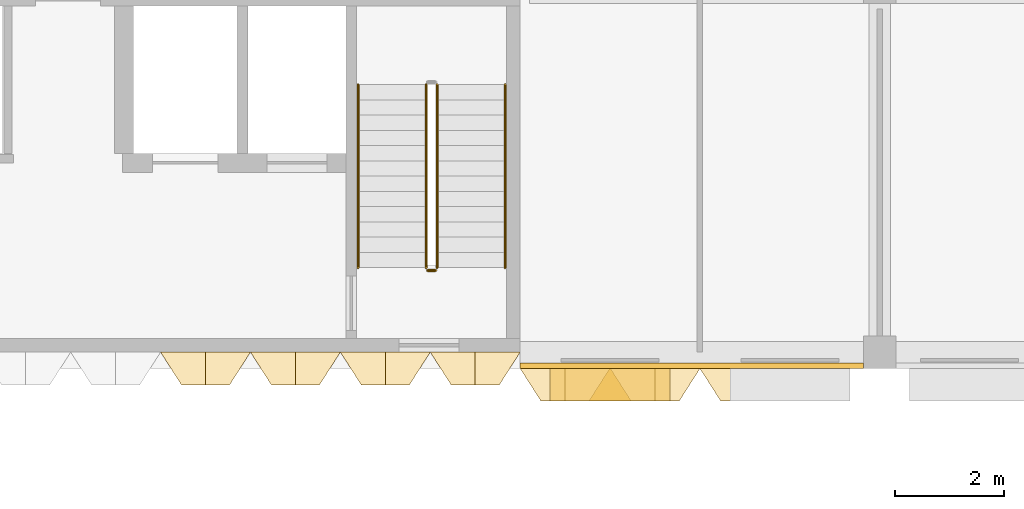
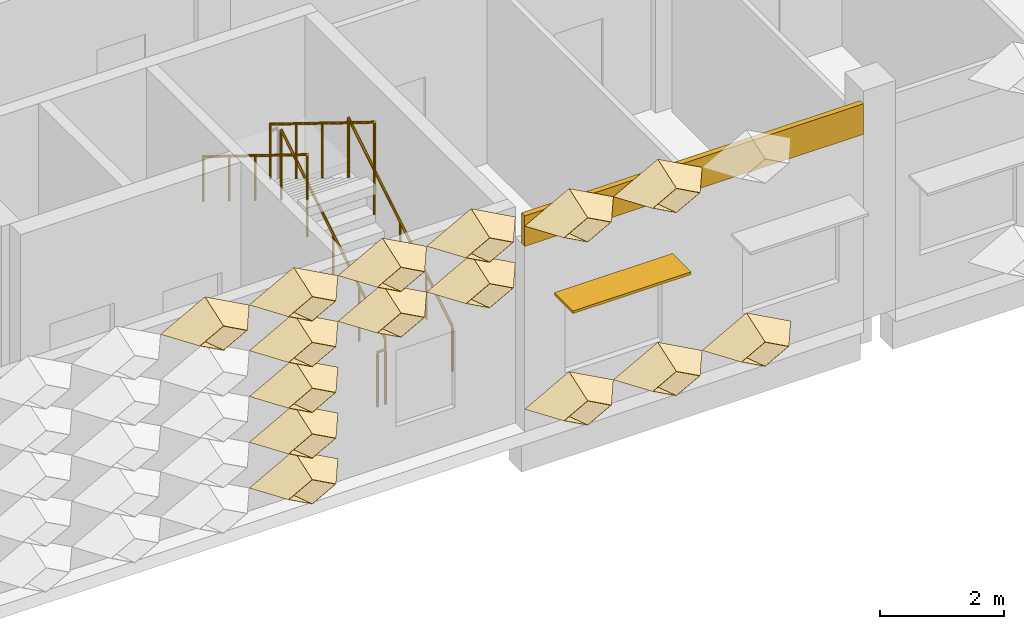
# One storey, part 88 of 109: 16 coverings, 5 railings, 1 shading device.
"""IFC4 building model written with IfcOpenShell, lengths in metres."""

from ifc_helpers import new_model, entity, si_unit, direction, frame, frame_2d, origin, origin_2d, place, context, subcontext, project, spatial, rectangle, circle, extrude, material, layer, layer_set, type_object, element, save


model = new_model("IFC4")

# Units and contexts
model_context = context("Model", 3, precision=1e-05, world=origin(), true_north=direction((0.0, 1.0)))
body_context = subcontext(model_context, "Body", "Model", "MODEL_VIEW")
ifc_project = project(units=[si_unit("LENGTHUNIT", "METRE"), si_unit("AREAUNIT", "SQUARE_METRE"), si_unit("VOLUMEUNIT", "CUBIC_METRE"), si_unit("PLANEANGLEUNIT", "RADIAN"), si_unit("MASSUNIT", "GRAM", prefix="KILO")], contexts=[model_context])

# Site, building, storey
site_placement = place(None, origin())
site = spatial("IfcSite", under=ifc_project, at=site_placement, CompositionType="ELEMENT")
building_placement = place(site_placement, origin())
building = spatial("IfcBuilding", under=site, at=building_placement, Name="Lantern Court Research Institute", CompositionType="ELEMENT")
storey_placement = place(building_placement, frame((0.0, 0.0, 14.39990234375)))
storey = spatial("IfcBuildingStorey", under=building, at=storey_placement, Name="L03", CompositionType="ELEMENT", Elevation=14.39990234375)

# Shading device
ifc_material_1 = material(Name="Aluminium alloy 6063-T6", Category="aluminium")
ifc_layer_1 = layer(ifc_material_1, 0.050048828125)
ifc_layer_set_1 = layer_set([ifc_layer_1], Name="Aluminium alloy 6063-T6")
shading_device_type = type_object("IfcShadingDeviceType", Name="Brise-soleil blade 2200 x 600 x 50 aluminium", PredefinedType="USERDEFINED", material=ifc_layer_set_1)
shading_device_placement = place(storey_placement, frame((54.449951171875, 81.89990234375, 2.5), z_axis=(0.0, 0.0, 1.0), x_axis=(-1.0, 0.0, 0.0)))
element("IfcShadingDevice", 1, at=shading_device_placement, inside=storey, type_object=shading_device_type, Name="Brise-soleil blade L03 S", ObjectType="LOUVRE", PredefinedType="USERDEFINED", context=body_context, shape_type="SweptSolid", body=[
    extrude(rectangle(XDim=2.199951171875, YDim=0.60009765625, at=origin_2d()), origin(), (0.0, 0.0, 1.0), 0.050048828125),
])

# Coverings
ifc_material_2 = material(Name="Aluminium composite panel with mineral wool insulation", Category="aluminium")
ifc_layer_2 = layer(ifc_material_2, 0.10009765625)
ifc_layer_set_2 = layer_set([ifc_layer_2], Name="Aluminium composite panel with mineral wool insulation")
covering_type_1 = type_object("IfcCoveringType", Name="Edge fascia panel 100 aluminium faced", PredefinedType="CLADDING", material=ifc_layer_set_2)
covering_1_placement = place(storey_placement, frame((59.10009765625, 82.25, 3.650146484375), z_axis=(0.0, 0.0, 1.0), x_axis=(-1.0, 0.0, 0.0)))
element("IfcCovering", 2, at=covering_1_placement, inside=storey, type_object=covering_type_1, Name="Edge fascia V6S L03 07", PredefinedType="CLADDING", context=body_context, shape_type="SweptSolid", body=[
    extrude(rectangle(XDim=6.300048828125, YDim=0.10009765625, at=frame_2d((3.14990234375, 0.0))), origin(), (0.0, 0.0, 1.0), 0.599853515625),
])
ifc_material_3 = material(Name="Anodised aluminium", Category="aluminium")
ifc_layer_3 = layer(ifc_material_3, 0.01611328125)
ifc_layer_set_3 = layer_set([ifc_layer_3], Name="Anodised aluminium")
covering_type_2 = type_object("IfcCoveringType", Name="Fin cassette 1650 x 900 x 600 aluminium", PredefinedType="CLADDING", material=ifc_layer_set_3)
covering_2_placement = place(storey_placement, frame((48.675048828125, 82.5, 0.4501953125), z_axis=(0.0, -1.0, 0.0), x_axis=(1.0, 0.0, 0.0)))
cartesian_point_1 = entity("IfcCartesianPoint", [0.824951171875, 0.0])
cartesian_point_2 = entity("IfcCartesianPoint", [0.79150390625, 0.0])
cartesian_point_3 = entity("IfcCartesianPoint", [0.44189453125, 0.0])
cartesian_point_4 = entity("IfcCartesianPoint", [0.43359375, 0.0])
element("IfcCovering", 3, at=covering_2_placement, inside=storey, type_object=covering_type_2, Name="Fin cassette V6S-L03 1.30", PredefinedType="CLADDING", context=body_context, shape_type="SweptSolid", body=[
    entity("IfcExtrudedAreaSolidTapered", entity("IfcArbitraryProfileDefWithVoids", "AREA", None, entity("IfcPolyline", [cartesian_point_1, entity("IfcCartesianPoint", [0.0, 0.449951171875]), entity("IfcCartesianPoint", [-0.824951171875, 0.0]), entity("IfcCartesianPoint", [0.0, -0.449951171875]), cartesian_point_1]), [entity("IfcPolyline", [cartesian_point_2, entity("IfcCartesianPoint", [0.0, 0.431884765625]), entity("IfcCartesianPoint", [-0.79150390625, 0.0]), entity("IfcCartesianPoint", [0.0, -0.431884765625]), cartesian_point_2])]), entity("IfcAxis2Placement3D", entity("IfcCartesianPoint", [0.0, 0.0, 0.0])), entity("IfcDirection", [0.0, 0.0, 1.0]), 0.60009765625, entity("IfcArbitraryProfileDefWithVoids", "AREA", None, entity("IfcPolyline", [cartesian_point_3, entity("IfcCartesianPoint", [0.0, 0.240966796875]), entity("IfcCartesianPoint", [-0.44189453125, 0.0]), entity("IfcCartesianPoint", [0.0, -0.240966796875]), cartesian_point_3]), [entity("IfcPolyline", [cartesian_point_4, entity("IfcCartesianPoint", [0.0, 0.236572265625]), entity("IfcCartesianPoint", [-0.43359375, 0.0]), entity("IfcCartesianPoint", [0.0, -0.236572265625]), cartesian_point_4])])),
])
covering_3_placement = place(storey_placement, frame((48.675048828125, 82.5, 1.35009765625), z_axis=(0.0, -1.0, 0.0), x_axis=(1.0, 0.0, 0.0)))
cartesian_point_5 = entity("IfcCartesianPoint", [0.824951171875, 0.0])
cartesian_point_6 = entity("IfcCartesianPoint", [0.79150390625, 0.0])
cartesian_point_7 = entity("IfcCartesianPoint", [0.44189453125, 0.0])
cartesian_point_8 = entity("IfcCartesianPoint", [0.43359375, 0.0])
element("IfcCovering", 4, at=covering_3_placement, inside=storey, type_object=covering_type_2, Name="Fin cassette V6S-L03 2.30", PredefinedType="CLADDING", context=body_context, shape_type="SweptSolid", body=[
    entity("IfcExtrudedAreaSolidTapered", entity("IfcArbitraryProfileDefWithVoids", "AREA", None, entity("IfcPolyline", [cartesian_point_5, entity("IfcCartesianPoint", [0.0, 0.449951171875]), entity("IfcCartesianPoint", [-0.824951171875, 0.0]), entity("IfcCartesianPoint", [0.0, -0.449951171875]), cartesian_point_5]), [entity("IfcPolyline", [cartesian_point_6, entity("IfcCartesianPoint", [0.0, 0.431884765625]), entity("IfcCartesianPoint", [-0.79150390625, 0.0]), entity("IfcCartesianPoint", [0.0, -0.431884765625]), cartesian_point_6])]), entity("IfcAxis2Placement3D", entity("IfcCartesianPoint", [0.0, 0.0, 0.0])), entity("IfcDirection", [0.0, 0.0, 1.0]), 0.60009765625, entity("IfcArbitraryProfileDefWithVoids", "AREA", None, entity("IfcPolyline", [cartesian_point_7, entity("IfcCartesianPoint", [0.0, 0.240966796875]), entity("IfcCartesianPoint", [-0.44189453125, 0.0]), entity("IfcCartesianPoint", [0.0, -0.240966796875]), cartesian_point_7]), [entity("IfcPolyline", [cartesian_point_8, entity("IfcCartesianPoint", [0.0, 0.236572265625]), entity("IfcCartesianPoint", [-0.43359375, 0.0]), entity("IfcCartesianPoint", [0.0, -0.236572265625]), cartesian_point_8])])),
])
covering_4_placement = place(storey_placement, frame((48.675048828125, 82.5, 2.25), z_axis=(0.0, -1.0, 0.0), x_axis=(1.0, 0.0, 0.0)))
cartesian_point_9 = entity("IfcCartesianPoint", [0.824951171875, 0.0])
cartesian_point_10 = entity("IfcCartesianPoint", [0.79150390625, 0.0])
cartesian_point_11 = entity("IfcCartesianPoint", [0.44189453125, 0.0])
cartesian_point_12 = entity("IfcCartesianPoint", [0.43359375, 0.0])
element("IfcCovering", 5, at=covering_4_placement, inside=storey, type_object=covering_type_2, Name="Fin cassette V6S-L03 3.30", PredefinedType="CLADDING", context=body_context, shape_type="SweptSolid", body=[
    entity("IfcExtrudedAreaSolidTapered", entity("IfcArbitraryProfileDefWithVoids", "AREA", None, entity("IfcPolyline", [cartesian_point_9, entity("IfcCartesianPoint", [0.0, 0.449951171875]), entity("IfcCartesianPoint", [-0.824951171875, 0.0]), entity("IfcCartesianPoint", [0.0, -0.449951171875]), cartesian_point_9]), [entity("IfcPolyline", [cartesian_point_10, entity("IfcCartesianPoint", [0.0, 0.431884765625]), entity("IfcCartesianPoint", [-0.79150390625, 0.0]), entity("IfcCartesianPoint", [0.0, -0.431884765625]), cartesian_point_10])]), entity("IfcAxis2Placement3D", entity("IfcCartesianPoint", [0.0, 0.0, 0.0])), entity("IfcDirection", [0.0, 0.0, 1.0]), 0.60009765625, entity("IfcArbitraryProfileDefWithVoids", "AREA", None, entity("IfcPolyline", [cartesian_point_11, entity("IfcCartesianPoint", [0.0, 0.240966796875]), entity("IfcCartesianPoint", [-0.44189453125, 0.0]), entity("IfcCartesianPoint", [0.0, -0.240966796875]), cartesian_point_11]), [entity("IfcPolyline", [cartesian_point_12, entity("IfcCartesianPoint", [0.0, 0.236572265625]), entity("IfcCartesianPoint", [-0.43359375, 0.0]), entity("IfcCartesianPoint", [0.0, -0.236572265625]), cartesian_point_12])])),
])
covering_5_placement = place(storey_placement, frame((48.675048828125, 82.5, 3.150146484375), z_axis=(0.0, -1.0, 0.0), x_axis=(1.0, 0.0, 0.0)))
cartesian_point_13 = entity("IfcCartesianPoint", [0.824951171875, 0.0])
cartesian_point_14 = entity("IfcCartesianPoint", [0.79150390625, 0.0])
cartesian_point_15 = entity("IfcCartesianPoint", [0.44189453125, 0.0])
cartesian_point_16 = entity("IfcCartesianPoint", [0.43359375, 0.0])
element("IfcCovering", 6, at=covering_5_placement, inside=storey, type_object=covering_type_2, Name="Fin cassette V6S-L03 4.30", PredefinedType="CLADDING", context=body_context, shape_type="SweptSolid", body=[
    entity("IfcExtrudedAreaSolidTapered", entity("IfcArbitraryProfileDefWithVoids", "AREA", None, entity("IfcPolyline", [cartesian_point_13, entity("IfcCartesianPoint", [0.0, 0.449951171875]), entity("IfcCartesianPoint", [-0.824951171875, 0.0]), entity("IfcCartesianPoint", [0.0, -0.449951171875]), cartesian_point_13]), [entity("IfcPolyline", [cartesian_point_14, entity("IfcCartesianPoint", [0.0, 0.431884765625]), entity("IfcCartesianPoint", [-0.79150390625, 0.0]), entity("IfcCartesianPoint", [0.0, -0.431884765625]), cartesian_point_14])]), entity("IfcAxis2Placement3D", entity("IfcCartesianPoint", [0.0, 0.0, 0.0])), entity("IfcDirection", [0.0, 0.0, 1.0]), 0.60009765625, entity("IfcArbitraryProfileDefWithVoids", "AREA", None, entity("IfcPolyline", [cartesian_point_15, entity("IfcCartesianPoint", [0.0, 0.240966796875]), entity("IfcCartesianPoint", [-0.44189453125, 0.0]), entity("IfcCartesianPoint", [0.0, -0.240966796875]), cartesian_point_15]), [entity("IfcPolyline", [cartesian_point_16, entity("IfcCartesianPoint", [0.0, 0.236572265625]), entity("IfcCartesianPoint", [-0.43359375, 0.0]), entity("IfcCartesianPoint", [0.0, -0.236572265625]), cartesian_point_16])])),
])
covering_6_placement = place(storey_placement, frame((50.324951171875, 82.5, 3.150146484375), z_axis=(0.0, -1.0, 0.0), x_axis=(1.0, 0.0, 0.0)))
cartesian_point_17 = entity("IfcCartesianPoint", [0.824951171875, 0.0])
cartesian_point_18 = entity("IfcCartesianPoint", [0.79150390625, 0.0])
cartesian_point_19 = entity("IfcCartesianPoint", [0.44189453125, 0.0])
cartesian_point_20 = entity("IfcCartesianPoint", [0.43359375, 0.0])
element("IfcCovering", 7, at=covering_6_placement, inside=storey, type_object=covering_type_2, Name="Fin cassette V6S-L03 4.31", PredefinedType="CLADDING", context=body_context, shape_type="SweptSolid", body=[
    entity("IfcExtrudedAreaSolidTapered", entity("IfcArbitraryProfileDefWithVoids", "AREA", None, entity("IfcPolyline", [cartesian_point_17, entity("IfcCartesianPoint", [0.0, 0.449951171875]), entity("IfcCartesianPoint", [-0.824951171875, 0.0]), entity("IfcCartesianPoint", [0.0, -0.449951171875]), cartesian_point_17]), [entity("IfcPolyline", [cartesian_point_18, entity("IfcCartesianPoint", [0.0, 0.431884765625]), entity("IfcCartesianPoint", [-0.79150390625, 0.0]), entity("IfcCartesianPoint", [0.0, -0.431884765625]), cartesian_point_18])]), entity("IfcAxis2Placement3D", entity("IfcCartesianPoint", [0.0, 0.0, 0.0])), entity("IfcDirection", [0.0, 0.0, 1.0]), 0.60009765625, entity("IfcArbitraryProfileDefWithVoids", "AREA", None, entity("IfcPolyline", [cartesian_point_19, entity("IfcCartesianPoint", [0.0, 0.240966796875]), entity("IfcCartesianPoint", [-0.44189453125, 0.0]), entity("IfcCartesianPoint", [0.0, -0.240966796875]), cartesian_point_19]), [entity("IfcPolyline", [cartesian_point_20, entity("IfcCartesianPoint", [0.0, 0.236572265625]), entity("IfcCartesianPoint", [-0.43359375, 0.0]), entity("IfcCartesianPoint", [0.0, -0.236572265625]), cartesian_point_20])])),
])
covering_7_placement = place(storey_placement, frame((51.97509765625, 82.5, 3.150146484375), z_axis=(0.0, -1.0, 0.0), x_axis=(1.0, 0.0, 0.0)))
cartesian_point_21 = entity("IfcCartesianPoint", [0.824951171875, 0.0])
cartesian_point_22 = entity("IfcCartesianPoint", [0.79150390625, 0.0])
cartesian_point_23 = entity("IfcCartesianPoint", [0.44189453125, 0.0])
cartesian_point_24 = entity("IfcCartesianPoint", [0.43359375, 0.0])
element("IfcCovering", 8, at=covering_7_placement, inside=storey, type_object=covering_type_2, Name="Fin cassette V6S-L03 4.32", PredefinedType="CLADDING", context=body_context, shape_type="SweptSolid", body=[
    entity("IfcExtrudedAreaSolidTapered", entity("IfcArbitraryProfileDefWithVoids", "AREA", None, entity("IfcPolyline", [cartesian_point_21, entity("IfcCartesianPoint", [0.0, 0.449951171875]), entity("IfcCartesianPoint", [-0.824951171875, 0.0]), entity("IfcCartesianPoint", [0.0, -0.449951171875]), cartesian_point_21]), [entity("IfcPolyline", [cartesian_point_22, entity("IfcCartesianPoint", [0.0, 0.431884765625]), entity("IfcCartesianPoint", [-0.79150390625, 0.0]), entity("IfcCartesianPoint", [0.0, -0.431884765625]), cartesian_point_22])]), entity("IfcAxis2Placement3D", entity("IfcCartesianPoint", [0.0, 0.0, 0.0])), entity("IfcDirection", [0.0, 0.0, 1.0]), 0.60009765625, entity("IfcArbitraryProfileDefWithVoids", "AREA", None, entity("IfcPolyline", [cartesian_point_23, entity("IfcCartesianPoint", [0.0, 0.240966796875]), entity("IfcCartesianPoint", [-0.44189453125, 0.0]), entity("IfcCartesianPoint", [0.0, -0.240966796875]), cartesian_point_23]), [entity("IfcPolyline", [cartesian_point_24, entity("IfcCartesianPoint", [0.0, 0.236572265625]), entity("IfcCartesianPoint", [-0.43359375, 0.0]), entity("IfcCartesianPoint", [0.0, -0.236572265625]), cartesian_point_24])])),
])
covering_8_placement = place(storey_placement, frame((47.02490234375, 82.5, 4.050048828125), z_axis=(0.0, -1.0, 0.0), x_axis=(1.0, 0.0, 0.0)))
cartesian_point_25 = entity("IfcCartesianPoint", [0.824951171875, 0.0])
cartesian_point_26 = entity("IfcCartesianPoint", [0.79150390625, 0.0])
cartesian_point_27 = entity("IfcCartesianPoint", [0.44189453125, 0.0])
cartesian_point_28 = entity("IfcCartesianPoint", [0.43359375, 0.0])
element("IfcCovering", 9, at=covering_8_placement, inside=storey, type_object=covering_type_2, Name="Fin cassette V6S-L03 5.29", PredefinedType="CLADDING", context=body_context, shape_type="SweptSolid", body=[
    entity("IfcExtrudedAreaSolidTapered", entity("IfcArbitraryProfileDefWithVoids", "AREA", None, entity("IfcPolyline", [cartesian_point_25, entity("IfcCartesianPoint", [0.0, 0.449951171875]), entity("IfcCartesianPoint", [-0.824951171875, 0.0]), entity("IfcCartesianPoint", [0.0, -0.449951171875]), cartesian_point_25]), [entity("IfcPolyline", [cartesian_point_26, entity("IfcCartesianPoint", [0.0, 0.431884765625]), entity("IfcCartesianPoint", [-0.79150390625, 0.0]), entity("IfcCartesianPoint", [0.0, -0.431884765625]), cartesian_point_26])]), entity("IfcAxis2Placement3D", entity("IfcCartesianPoint", [0.0, 0.0, 0.0])), entity("IfcDirection", [0.0, 0.0, 1.0]), 0.60009765625, entity("IfcArbitraryProfileDefWithVoids", "AREA", None, entity("IfcPolyline", [cartesian_point_27, entity("IfcCartesianPoint", [0.0, 0.240966796875]), entity("IfcCartesianPoint", [-0.44189453125, 0.0]), entity("IfcCartesianPoint", [0.0, -0.240966796875]), cartesian_point_27]), [entity("IfcPolyline", [cartesian_point_28, entity("IfcCartesianPoint", [0.0, 0.236572265625]), entity("IfcCartesianPoint", [-0.43359375, 0.0]), entity("IfcCartesianPoint", [0.0, -0.236572265625]), cartesian_point_28])])),
])
covering_9_placement = place(storey_placement, frame((48.675048828125, 82.5, 4.050048828125), z_axis=(0.0, -1.0, 0.0), x_axis=(1.0, 0.0, 0.0)))
cartesian_point_29 = entity("IfcCartesianPoint", [0.824951171875, 0.0])
cartesian_point_30 = entity("IfcCartesianPoint", [0.79150390625, 0.0])
cartesian_point_31 = entity("IfcCartesianPoint", [0.44189453125, 0.0])
cartesian_point_32 = entity("IfcCartesianPoint", [0.43359375, 0.0])
element("IfcCovering", 10, at=covering_9_placement, inside=storey, type_object=covering_type_2, Name="Fin cassette V6S-L03 5.30", PredefinedType="CLADDING", context=body_context, shape_type="SweptSolid", body=[
    entity("IfcExtrudedAreaSolidTapered", entity("IfcArbitraryProfileDefWithVoids", "AREA", None, entity("IfcPolyline", [cartesian_point_29, entity("IfcCartesianPoint", [0.0, 0.449951171875]), entity("IfcCartesianPoint", [-0.824951171875, 0.0]), entity("IfcCartesianPoint", [0.0, -0.449951171875]), cartesian_point_29]), [entity("IfcPolyline", [cartesian_point_30, entity("IfcCartesianPoint", [0.0, 0.431884765625]), entity("IfcCartesianPoint", [-0.79150390625, 0.0]), entity("IfcCartesianPoint", [0.0, -0.431884765625]), cartesian_point_30])]), entity("IfcAxis2Placement3D", entity("IfcCartesianPoint", [0.0, 0.0, 0.0])), entity("IfcDirection", [0.0, 0.0, 1.0]), 0.60009765625, entity("IfcArbitraryProfileDefWithVoids", "AREA", None, entity("IfcPolyline", [cartesian_point_31, entity("IfcCartesianPoint", [0.0, 0.240966796875]), entity("IfcCartesianPoint", [-0.44189453125, 0.0]), entity("IfcCartesianPoint", [0.0, -0.240966796875]), cartesian_point_31]), [entity("IfcPolyline", [cartesian_point_32, entity("IfcCartesianPoint", [0.0, 0.236572265625]), entity("IfcCartesianPoint", [-0.43359375, 0.0]), entity("IfcCartesianPoint", [0.0, -0.236572265625]), cartesian_point_32])])),
])
covering_10_placement = place(storey_placement, frame((50.324951171875, 82.5, 4.050048828125), z_axis=(0.0, -1.0, 0.0), x_axis=(1.0, 0.0, 0.0)))
cartesian_point_33 = entity("IfcCartesianPoint", [0.824951171875, 0.0])
cartesian_point_34 = entity("IfcCartesianPoint", [0.79150390625, 0.0])
cartesian_point_35 = entity("IfcCartesianPoint", [0.44189453125, 0.0])
cartesian_point_36 = entity("IfcCartesianPoint", [0.43359375, 0.0])
element("IfcCovering", 11, at=covering_10_placement, inside=storey, type_object=covering_type_2, Name="Fin cassette V6S-L03 5.31", PredefinedType="CLADDING", context=body_context, shape_type="SweptSolid", body=[
    entity("IfcExtrudedAreaSolidTapered", entity("IfcArbitraryProfileDefWithVoids", "AREA", None, entity("IfcPolyline", [cartesian_point_33, entity("IfcCartesianPoint", [0.0, 0.449951171875]), entity("IfcCartesianPoint", [-0.824951171875, 0.0]), entity("IfcCartesianPoint", [0.0, -0.449951171875]), cartesian_point_33]), [entity("IfcPolyline", [cartesian_point_34, entity("IfcCartesianPoint", [0.0, 0.431884765625]), entity("IfcCartesianPoint", [-0.79150390625, 0.0]), entity("IfcCartesianPoint", [0.0, -0.431884765625]), cartesian_point_34])]), entity("IfcAxis2Placement3D", entity("IfcCartesianPoint", [0.0, 0.0, 0.0])), entity("IfcDirection", [0.0, 0.0, 1.0]), 0.60009765625, entity("IfcArbitraryProfileDefWithVoids", "AREA", None, entity("IfcPolyline", [cartesian_point_35, entity("IfcCartesianPoint", [0.0, 0.240966796875]), entity("IfcCartesianPoint", [-0.44189453125, 0.0]), entity("IfcCartesianPoint", [0.0, -0.240966796875]), cartesian_point_35]), [entity("IfcPolyline", [cartesian_point_36, entity("IfcCartesianPoint", [0.0, 0.236572265625]), entity("IfcCartesianPoint", [-0.43359375, 0.0]), entity("IfcCartesianPoint", [0.0, -0.236572265625]), cartesian_point_36])])),
])
covering_11_placement = place(storey_placement, frame((51.97509765625, 82.5, 4.050048828125), z_axis=(0.0, -1.0, 0.0), x_axis=(1.0, 0.0, 0.0)))
cartesian_point_37 = entity("IfcCartesianPoint", [0.824951171875, 0.0])
cartesian_point_38 = entity("IfcCartesianPoint", [0.79150390625, 0.0])
cartesian_point_39 = entity("IfcCartesianPoint", [0.44189453125, 0.0])
cartesian_point_40 = entity("IfcCartesianPoint", [0.43359375, 0.0])
element("IfcCovering", 12, at=covering_11_placement, inside=storey, type_object=covering_type_2, Name="Fin cassette V6S-L03 5.32", PredefinedType="CLADDING", context=body_context, shape_type="SweptSolid", body=[
    entity("IfcExtrudedAreaSolidTapered", entity("IfcArbitraryProfileDefWithVoids", "AREA", None, entity("IfcPolyline", [cartesian_point_37, entity("IfcCartesianPoint", [0.0, 0.449951171875]), entity("IfcCartesianPoint", [-0.824951171875, 0.0]), entity("IfcCartesianPoint", [0.0, -0.449951171875]), cartesian_point_37]), [entity("IfcPolyline", [cartesian_point_38, entity("IfcCartesianPoint", [0.0, 0.431884765625]), entity("IfcCartesianPoint", [-0.79150390625, 0.0]), entity("IfcCartesianPoint", [0.0, -0.431884765625]), cartesian_point_38])]), entity("IfcAxis2Placement3D", entity("IfcCartesianPoint", [0.0, 0.0, 0.0])), entity("IfcDirection", [0.0, 0.0, 1.0]), 0.60009765625, entity("IfcArbitraryProfileDefWithVoids", "AREA", None, entity("IfcPolyline", [cartesian_point_39, entity("IfcCartesianPoint", [0.0, 0.240966796875]), entity("IfcCartesianPoint", [-0.44189453125, 0.0]), entity("IfcCartesianPoint", [0.0, -0.240966796875]), cartesian_point_39]), [entity("IfcPolyline", [cartesian_point_40, entity("IfcCartesianPoint", [0.0, 0.236572265625]), entity("IfcCartesianPoint", [-0.43359375, 0.0]), entity("IfcCartesianPoint", [0.0, -0.236572265625]), cartesian_point_40])])),
])
covering_12_placement = place(storey_placement, frame((53.625, 82.199951171875, 0.4501953125), z_axis=(0.0, -1.0, 0.0), x_axis=(1.0, 0.0, 0.0)))
cartesian_point_41 = entity("IfcCartesianPoint", [0.824951171875, 0.0])
cartesian_point_42 = entity("IfcCartesianPoint", [0.79150390625, 0.0])
cartesian_point_43 = entity("IfcCartesianPoint", [0.44189453125, 0.0])
cartesian_point_44 = entity("IfcCartesianPoint", [0.43359375, 0.0])
element("IfcCovering", 13, at=covering_12_placement, inside=storey, type_object=covering_type_2, Name="Fin cassette V6S-L03 1.33", PredefinedType="CLADDING", context=body_context, shape_type="SweptSolid", body=[
    entity("IfcExtrudedAreaSolidTapered", entity("IfcArbitraryProfileDefWithVoids", "AREA", None, entity("IfcPolyline", [cartesian_point_41, entity("IfcCartesianPoint", [0.0, 0.449951171875]), entity("IfcCartesianPoint", [-0.824951171875, 0.0]), entity("IfcCartesianPoint", [0.0, -0.449951171875]), cartesian_point_41]), [entity("IfcPolyline", [cartesian_point_42, entity("IfcCartesianPoint", [0.0, 0.431884765625]), entity("IfcCartesianPoint", [-0.79150390625, 0.0]), entity("IfcCartesianPoint", [0.0, -0.431884765625]), cartesian_point_42])]), entity("IfcAxis2Placement3D", entity("IfcCartesianPoint", [0.0, 0.0, 0.0])), entity("IfcDirection", [0.0, 0.0, 1.0]), 0.60009765625, entity("IfcArbitraryProfileDefWithVoids", "AREA", None, entity("IfcPolyline", [cartesian_point_43, entity("IfcCartesianPoint", [0.0, 0.240966796875]), entity("IfcCartesianPoint", [-0.44189453125, 0.0]), entity("IfcCartesianPoint", [0.0, -0.240966796875]), cartesian_point_43]), [entity("IfcPolyline", [cartesian_point_44, entity("IfcCartesianPoint", [0.0, 0.236572265625]), entity("IfcCartesianPoint", [-0.43359375, 0.0]), entity("IfcCartesianPoint", [0.0, -0.236572265625]), cartesian_point_44])])),
])
covering_13_placement = place(storey_placement, frame((55.27490234375, 82.199951171875, 0.4501953125), z_axis=(0.0, -1.0, 0.0), x_axis=(1.0, 0.0, 0.0)))
cartesian_point_45 = entity("IfcCartesianPoint", [0.824951171875, 0.0])
cartesian_point_46 = entity("IfcCartesianPoint", [0.79150390625, 0.0])
cartesian_point_47 = entity("IfcCartesianPoint", [0.44189453125, 0.0])
cartesian_point_48 = entity("IfcCartesianPoint", [0.43359375, 0.0])
element("IfcCovering", 14, at=covering_13_placement, inside=storey, type_object=covering_type_2, Name="Fin cassette V6S-L03 1.34", PredefinedType="CLADDING", context=body_context, shape_type="SweptSolid", body=[
    entity("IfcExtrudedAreaSolidTapered", entity("IfcArbitraryProfileDefWithVoids", "AREA", None, entity("IfcPolyline", [cartesian_point_45, entity("IfcCartesianPoint", [0.0, 0.449951171875]), entity("IfcCartesianPoint", [-0.824951171875, 0.0]), entity("IfcCartesianPoint", [0.0, -0.449951171875]), cartesian_point_45]), [entity("IfcPolyline", [cartesian_point_46, entity("IfcCartesianPoint", [0.0, 0.431884765625]), entity("IfcCartesianPoint", [-0.79150390625, 0.0]), entity("IfcCartesianPoint", [0.0, -0.431884765625]), cartesian_point_46])]), entity("IfcAxis2Placement3D", entity("IfcCartesianPoint", [0.0, 0.0, 0.0])), entity("IfcDirection", [0.0, 0.0, 1.0]), 0.60009765625, entity("IfcArbitraryProfileDefWithVoids", "AREA", None, entity("IfcPolyline", [cartesian_point_47, entity("IfcCartesianPoint", [0.0, 0.240966796875]), entity("IfcCartesianPoint", [-0.44189453125, 0.0]), entity("IfcCartesianPoint", [0.0, -0.240966796875]), cartesian_point_47]), [entity("IfcPolyline", [cartesian_point_48, entity("IfcCartesianPoint", [0.0, 0.236572265625]), entity("IfcCartesianPoint", [-0.43359375, 0.0]), entity("IfcCartesianPoint", [0.0, -0.236572265625]), cartesian_point_48])])),
])
covering_14_placement = place(storey_placement, frame((56.925048828125, 82.199951171875, 0.4501953125), z_axis=(0.0, -1.0, 0.0), x_axis=(1.0, 0.0, 0.0)))
cartesian_point_49 = entity("IfcCartesianPoint", [0.824951171875, 0.0])
cartesian_point_50 = entity("IfcCartesianPoint", [0.79150390625, 0.0])
cartesian_point_51 = entity("IfcCartesianPoint", [0.44189453125, 0.0])
cartesian_point_52 = entity("IfcCartesianPoint", [0.43359375, 0.0])
element("IfcCovering", 15, at=covering_14_placement, inside=storey, type_object=covering_type_2, Name="Fin cassette V6S-L03 1.35", PredefinedType="CLADDING", context=body_context, shape_type="SweptSolid", body=[
    entity("IfcExtrudedAreaSolidTapered", entity("IfcArbitraryProfileDefWithVoids", "AREA", None, entity("IfcPolyline", [cartesian_point_49, entity("IfcCartesianPoint", [0.0, 0.449951171875]), entity("IfcCartesianPoint", [-0.824951171875, 0.0]), entity("IfcCartesianPoint", [0.0, -0.449951171875]), cartesian_point_49]), [entity("IfcPolyline", [cartesian_point_50, entity("IfcCartesianPoint", [0.0, 0.431884765625]), entity("IfcCartesianPoint", [-0.79150390625, 0.0]), entity("IfcCartesianPoint", [0.0, -0.431884765625]), cartesian_point_50])]), entity("IfcAxis2Placement3D", entity("IfcCartesianPoint", [0.0, 0.0, 0.0])), entity("IfcDirection", [0.0, 0.0, 1.0]), 0.60009765625, entity("IfcArbitraryProfileDefWithVoids", "AREA", None, entity("IfcPolyline", [cartesian_point_51, entity("IfcCartesianPoint", [0.0, 0.240966796875]), entity("IfcCartesianPoint", [-0.44189453125, 0.0]), entity("IfcCartesianPoint", [0.0, -0.240966796875]), cartesian_point_51]), [entity("IfcPolyline", [cartesian_point_52, entity("IfcCartesianPoint", [0.0, 0.236572265625]), entity("IfcCartesianPoint", [-0.43359375, 0.0]), entity("IfcCartesianPoint", [0.0, -0.236572265625]), cartesian_point_52])])),
])
covering_15_placement = place(storey_placement, frame((53.625, 82.199951171875, 4.050048828125), z_axis=(0.0, -1.0, 0.0), x_axis=(1.0, 0.0, 0.0)))
cartesian_point_53 = entity("IfcCartesianPoint", [0.824951171875, 0.0])
cartesian_point_54 = entity("IfcCartesianPoint", [0.79150390625, 0.0])
cartesian_point_55 = entity("IfcCartesianPoint", [0.44189453125, 0.0])
cartesian_point_56 = entity("IfcCartesianPoint", [0.43359375, 0.0])
element("IfcCovering", 16, at=covering_15_placement, inside=storey, type_object=covering_type_2, Name="Fin cassette V6S-L03 5.33", PredefinedType="CLADDING", context=body_context, shape_type="SweptSolid", body=[
    entity("IfcExtrudedAreaSolidTapered", entity("IfcArbitraryProfileDefWithVoids", "AREA", None, entity("IfcPolyline", [cartesian_point_53, entity("IfcCartesianPoint", [0.0, 0.449951171875]), entity("IfcCartesianPoint", [-0.824951171875, 0.0]), entity("IfcCartesianPoint", [0.0, -0.449951171875]), cartesian_point_53]), [entity("IfcPolyline", [cartesian_point_54, entity("IfcCartesianPoint", [0.0, 0.431884765625]), entity("IfcCartesianPoint", [-0.79150390625, 0.0]), entity("IfcCartesianPoint", [0.0, -0.431884765625]), cartesian_point_54])]), entity("IfcAxis2Placement3D", entity("IfcCartesianPoint", [0.0, 0.0, 0.0])), entity("IfcDirection", [0.0, 0.0, 1.0]), 0.60009765625, entity("IfcArbitraryProfileDefWithVoids", "AREA", None, entity("IfcPolyline", [cartesian_point_55, entity("IfcCartesianPoint", [0.0, 0.240966796875]), entity("IfcCartesianPoint", [-0.44189453125, 0.0]), entity("IfcCartesianPoint", [0.0, -0.240966796875]), cartesian_point_55]), [entity("IfcPolyline", [cartesian_point_56, entity("IfcCartesianPoint", [0.0, 0.236572265625]), entity("IfcCartesianPoint", [-0.43359375, 0.0]), entity("IfcCartesianPoint", [0.0, -0.236572265625]), cartesian_point_56])])),
])
covering_16_placement = place(storey_placement, frame((55.27490234375, 82.199951171875, 4.050048828125), z_axis=(0.0, -1.0, 0.0), x_axis=(1.0, 0.0, 0.0)))
cartesian_point_57 = entity("IfcCartesianPoint", [0.824951171875, 0.0])
cartesian_point_58 = entity("IfcCartesianPoint", [0.79150390625, 0.0])
cartesian_point_59 = entity("IfcCartesianPoint", [0.44189453125, 0.0])
cartesian_point_60 = entity("IfcCartesianPoint", [0.43359375, 0.0])
element("IfcCovering", 17, at=covering_16_placement, inside=storey, type_object=covering_type_2, Name="Fin cassette V6S-L03 5.34", PredefinedType="CLADDING", context=body_context, shape_type="SweptSolid", body=[
    entity("IfcExtrudedAreaSolidTapered", entity("IfcArbitraryProfileDefWithVoids", "AREA", None, entity("IfcPolyline", [cartesian_point_57, entity("IfcCartesianPoint", [0.0, 0.449951171875]), entity("IfcCartesianPoint", [-0.824951171875, 0.0]), entity("IfcCartesianPoint", [0.0, -0.449951171875]), cartesian_point_57]), [entity("IfcPolyline", [cartesian_point_58, entity("IfcCartesianPoint", [0.0, 0.431884765625]), entity("IfcCartesianPoint", [-0.79150390625, 0.0]), entity("IfcCartesianPoint", [0.0, -0.431884765625]), cartesian_point_58])]), entity("IfcAxis2Placement3D", entity("IfcCartesianPoint", [0.0, 0.0, 0.0])), entity("IfcDirection", [0.0, 0.0, 1.0]), 0.60009765625, entity("IfcArbitraryProfileDefWithVoids", "AREA", None, entity("IfcPolyline", [cartesian_point_59, entity("IfcCartesianPoint", [0.0, 0.240966796875]), entity("IfcCartesianPoint", [-0.44189453125, 0.0]), entity("IfcCartesianPoint", [0.0, -0.240966796875]), cartesian_point_59]), [entity("IfcPolyline", [cartesian_point_60, entity("IfcCartesianPoint", [0.0, 0.236572265625]), entity("IfcCartesianPoint", [-0.43359375, 0.0]), entity("IfcCartesianPoint", [0.0, -0.236572265625]), cartesian_point_60])])),
])

# Railings
ifc_material_4 = material(Name="Structural steel S355", Category="steel")
railing_type_1 = type_object("IfcRailingType", Name="Stair guard 1100 steel", PredefinedType="GUARDRAIL", material=ifc_material_4)
railing_1_placement = place(storey_placement, frame((51.27490234375, 84.050048828125, 0.173095703125)))
element("IfcRailing", 18, at=railing_1_placement, inside=storey, type_object=railing_type_1, Name="L03 ST-W2 stair guard 1", PredefinedType="GUARDRAIL", context=body_context, shape_type="SweptSolid", body=[
    extrude(circle(Radius=0.02392578125, at=origin_2d()), frame((0.0, 0.0, 1.076171875), z_axis=(0.0, 0.850606129759, 0.525803396734), x_axis=(-1.0, 0.0, 0.0)), (0.0, 0.0, 1.0), 3.949951171875),
    extrude(circle(Radius=0.02099609375, at=origin_2d()), origin(), (0.0, 0.0, 1.0), 1.052001953125),
    extrude(circle(Radius=0.02099609375, at=origin_2d()), frame((0.0, 0.83984375, 0.519287109375)), (0.0, 0.0, 1.0), 1.052001953125),
    extrude(circle(Radius=0.02099609375, at=origin_2d()), frame((0.0, 1.679931640625, 1.03857421875)), (0.0, 0.0, 1.0), 1.052001953125),
    extrude(circle(Radius=0.02099609375, at=origin_2d()), frame((0.0, 2.52001953125, 1.5576171875)), (0.0, 0.0, 1.0), 1.052001953125),
    extrude(circle(Radius=0.02099609375, at=origin_2d()), frame((0.0, 3.35986328125, 2.076904296875)), (0.0, 0.0, 1.0), 1.052001953125),
])
railing_2_placement = place(storey_placement, frame((51.074951171875, 87.409912109375, 2.423095703125)))
element("IfcRailing", 19, at=railing_2_placement, inside=storey, type_object=railing_type_1, Name="L03 ST-W2 stair guard 3", PredefinedType="GUARDRAIL", context=body_context, shape_type="SweptSolid", body=[
    extrude(circle(Radius=0.02392578125, at=origin_2d()), frame((0.0, 0.0, 1.076171875), z_axis=(0.0, -0.850606129759, 0.525803396734), x_axis=(1.0, 0.0, 0.0)), (0.0, 0.0, 1.0), 3.949951171875),
    extrude(circle(Radius=0.02099609375, at=origin_2d()), origin(), (0.0, 0.0, 1.0), 1.052001953125),
    extrude(circle(Radius=0.02099609375, at=origin_2d()), frame((0.0, -0.83984375, 0.519287109375)), (0.0, 0.0, 1.0), 1.052001953125),
    extrude(circle(Radius=0.02099609375, at=origin_2d()), frame((0.0, -1.679931640625, 1.03857421875)), (0.0, 0.0, 1.0), 1.052001953125),
    extrude(circle(Radius=0.02099609375, at=origin_2d()), frame((0.0, -2.52001953125, 1.5576171875)), (0.0, 0.0, 1.0), 1.052001953125),
    extrude(circle(Radius=0.02099609375, at=origin_2d()), frame((0.0, -3.35986328125, 2.076904296875)), (0.0, 0.0, 1.0), 1.052001953125),
])
railing_3_placement = place(storey_placement, frame((51.25, 84.0, 0.0)))
element("IfcRailing", 20, at=railing_3_placement, inside=storey, type_object=railing_type_1, Name="L03 ST-W2 stair guard 4", PredefinedType="GUARDRAIL", context=body_context, shape_type="SweptSolid", body=[
    extrude(circle(Radius=0.02392578125, at=origin_2d()), frame((0.0, 0.0, 1.076171875), z_axis=(-1.0, 0.0, 0.0), x_axis=(0.0, -1.0, 0.0)), (0.0, 0.0, 1.0), 0.14990234375),
    extrude(circle(Radius=0.02099609375, at=origin_2d()), origin(), (0.0, 0.0, 1.0), 1.052001953125),
    extrude(circle(Radius=0.02099609375, at=origin_2d()), frame((-0.14990234375, 0.0, 0.0)), (0.0, 0.0, 1.0), 1.052001953125),
])
ifc_material_5 = material(Name="Stainless steel 316", Category="steel")
railing_type_2 = type_object("IfcRailingType", Name="Stair handrail 900 steel", PredefinedType="HANDRAIL", material=ifc_material_5)
railing_4_placement = place(storey_placement, frame((52.52490234375, 84.050048828125, 0.173095703125)))
element("IfcRailing", 21, at=railing_4_placement, inside=storey, type_object=railing_type_2, Name="L03 ST-W2 stair handrail 1", PredefinedType="HANDRAIL", context=body_context, shape_type="SweptSolid", body=[
    extrude(circle(Radius=0.02392578125, at=origin_2d()), frame((0.0, 0.0, 0.8759765625), z_axis=(0.0, 0.850606129759, 0.525803396734), x_axis=(-1.0, 0.0, 0.0)), (0.0, 0.0, 1.0), 3.949951171875),
    extrude(circle(Radius=0.02099609375, at=origin_2d()), origin(), (0.0, 0.0, 1.0), 0.851806640625),
    extrude(circle(Radius=0.02099609375, at=origin_2d()), frame((0.0, 0.83984375, 0.519287109375)), (0.0, 0.0, 1.0), 0.851806640625),
    extrude(circle(Radius=0.02099609375, at=origin_2d()), frame((0.0, 1.679931640625, 1.03857421875)), (0.0, 0.0, 1.0), 0.851806640625),
    extrude(circle(Radius=0.02099609375, at=origin_2d()), frame((0.0, 2.52001953125, 1.5576171875)), (0.0, 0.0, 1.0), 0.851806640625),
    extrude(circle(Radius=0.02099609375, at=origin_2d()), frame((0.0, 3.35986328125, 2.076904296875)), (0.0, 0.0, 1.0), 0.851806640625),
])
railing_5_placement = place(storey_placement, frame((49.824951171875, 87.409912109375, 2.423095703125)))
element("IfcRailing", 22, at=railing_5_placement, inside=storey, type_object=railing_type_2, Name="L03 ST-W2 stair handrail 2", PredefinedType="HANDRAIL", context=body_context, shape_type="SweptSolid", body=[
    extrude(circle(Radius=0.02392578125, at=origin_2d()), frame((0.0, 0.0, 0.8759765625), z_axis=(0.0, -0.850606129759, 0.525803396734), x_axis=(1.0, 0.0, 0.0)), (0.0, 0.0, 1.0), 3.949951171875),
    extrude(circle(Radius=0.02099609375, at=origin_2d()), origin(), (0.0, 0.0, 1.0), 0.851806640625),
    extrude(circle(Radius=0.02099609375, at=origin_2d()), frame((0.0, -0.83984375, 0.519287109375)), (0.0, 0.0, 1.0), 0.851806640625),
    extrude(circle(Radius=0.02099609375, at=origin_2d()), frame((0.0, -1.679931640625, 1.03857421875)), (0.0, 0.0, 1.0), 0.851806640625),
    extrude(circle(Radius=0.02099609375, at=origin_2d()), frame((0.0, -2.52001953125, 1.5576171875)), (0.0, 0.0, 1.0), 0.851806640625),
    extrude(circle(Radius=0.02099609375, at=origin_2d()), frame((0.0, -3.35986328125, 2.076904296875)), (0.0, 0.0, 1.0), 0.851806640625),
])

save(model, "model.ifc")
